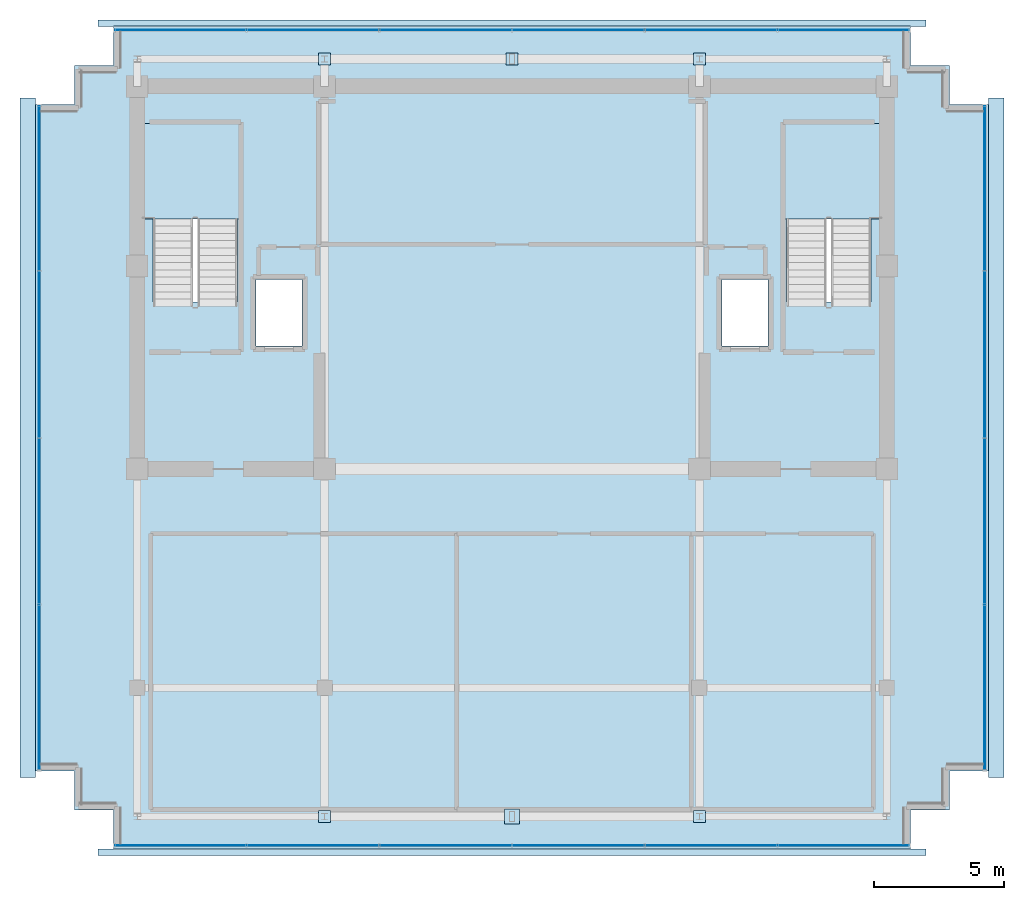
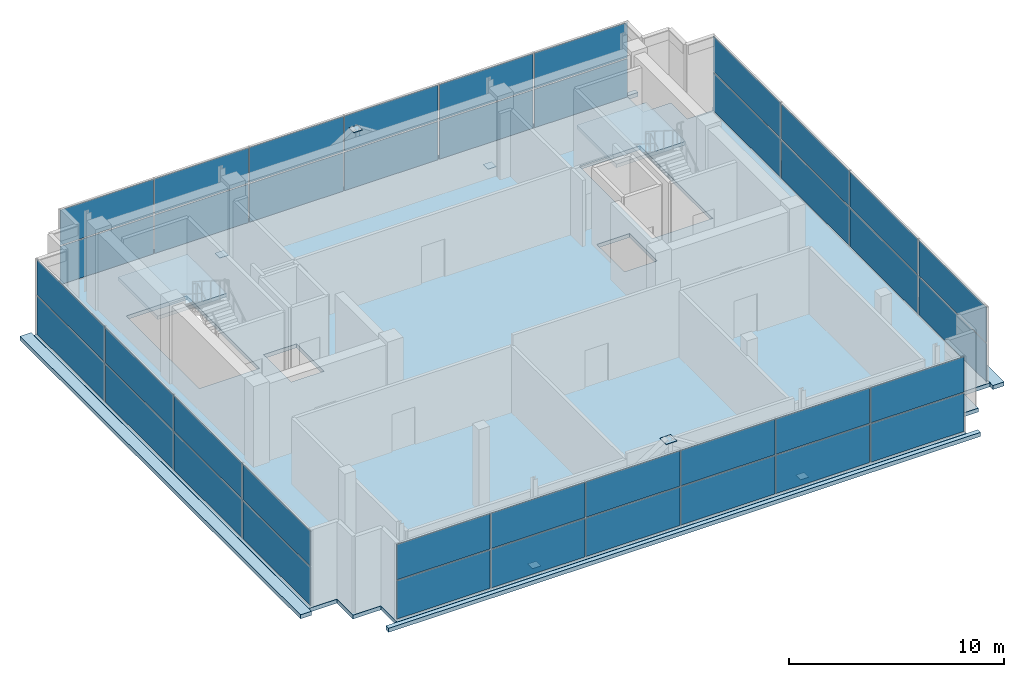
# One storey, part 24 of 28: 46 plates, 7 slabs, 6 elements without a shape of their own.
"""IFC4 building model written with IfcOpenShell, lengths in metres."""

from ifc_helpers import new_model, si_unit, direction, frame, origin, origin_2d, place, context, subcontext, project, spatial, polyline, rectangle, outline, extrude, source, transform, mapped, material, layer, layer_set, type_object, element, aggregate, save


model = new_model("IFC4")

# Units and contexts
model_context = context("Model", 3, precision=1e-05, world=origin(), true_north=direction((0.0, 1.0)))
body_context = subcontext(model_context, "Body", "Model", "MODEL_VIEW")
ifc_project = project(units=[si_unit("LENGTHUNIT", "METRE"), si_unit("AREAUNIT", "SQUARE_METRE"), si_unit("VOLUMEUNIT", "CUBIC_METRE"), si_unit("PLANEANGLEUNIT", "RADIAN"), si_unit("MASSUNIT", "GRAM", prefix="KILO")], contexts=[model_context])

# Site, building, storey
site_placement = place(None, origin())
site = spatial("IfcSite", under=ifc_project, at=site_placement, CompositionType="ELEMENT")
building_placement = place(site_placement, origin())
building = spatial("IfcBuilding", under=site, at=building_placement, Name="Zarnakvel Exchange Tower", CompositionType="ELEMENT")
storey_placement = place(building_placement, frame((0.0, 0.0, 290.0)))
storey = spatial("IfcBuildingStorey", under=building, at=storey_placement, Name="Crown L81", CompositionType="ELEMENT", Elevation=290.0)

# Stair, slab
ifc_material_1 = material(Name="Concrete C40/50", Category="concrete")
stair_type = type_object("IfcStairType", Name="STR-01", PredefinedType="HALF_TURN_STAIR", material=ifc_material_1)
stair_1_placement = place(storey_placement, origin())
stair_1 = element("IfcStair", 1, at=stair_1_placement, inside=storey, type_object=stair_type, Name="Crown L81 Protected Core Exit Stair ST-01", PredefinedType="HALF_TURN_STAIR")
ifc_layer_1 = layer(ifc_material_1, 0.199951171875)
ifc_layer_set_1 = layer_set([ifc_layer_1], Name="Concrete C40/50")
slab_type_1 = type_object("IfcSlabType", Name="LDG-01", PredefinedType="LANDING", material=ifc_layer_set_1)
slab_1_placement = place(storey_placement, frame((0.0, 0.0, 2.10009765625)))
slab_1 = element("IfcSlab", 2, at=slab_1_placement, type_object=slab_type_1, Name="ST-01 landing 1", PredefinedType="LANDING", context=body_context, shape_type="SweptSolid", body=[
    extrude(outline(polyline([(-14.18994140625, 8.409912109375), (-10.4599609375, 8.409912109375), (-10.4599609375, 12.080078125), (-14.18994140625, 12.080078125), (-14.18994140625, 8.409912109375)])), origin(), (0.0, 0.0, 1.0), 0.199951171875),
])
aggregate(stair_1, [slab_1])

stair_2_placement = place(storey_placement, origin())
stair_2 = element("IfcStair", 3, at=stair_2_placement, inside=storey, type_object=stair_type, Name="Crown L81 Protected Core Exit Stair ST-02", PredefinedType="HALF_TURN_STAIR")
slab_2_placement = place(storey_placement, frame((0.0, 0.0, 2.10009765625)))
slab_2 = element("IfcSlab", 4, at=slab_2_placement, type_object=slab_type_1, Name="ST-02 landing 1", PredefinedType="LANDING", context=body_context, shape_type="SweptSolid", body=[
    extrude(outline(polyline([(10.4599609375, 8.409912109375), (14.18994140625, 8.409912109375), (14.18994140625, 12.080078125), (10.4599609375, 12.080078125), (10.4599609375, 8.409912109375)])), origin(), (0.0, 0.0, 1.0), 0.199951171875),
])
aggregate(stair_2, [slab_2])

# Slabs
ifc_layer_2 = layer(ifc_material_1, 0.22998046875)
ifc_layer_set_2 = layer_set([ifc_layer_2], Name="Concrete C40/50")
slab_type_2 = type_object("IfcSlabType", Name="RF-SL1", PredefinedType="ROOF", material=ifc_layer_set_2)
slab_3_placement = place(storey_placement, frame((0.0, 0.0, -0.22998046875)))
element("IfcSlab", 5, at=slab_3_placement, inside=storey, type_object=slab_type_2, Name="Crown L81 Stepped Crown Tier Roof Slab #1", PredefinedType="ROOF", context=body_context, shape_type="SweptSolid", body=[
    extrude(outline(polyline([(15.89990234375, -16.050048828125), (-15.89990234375, -16.050048828125), (-15.89990234375, -15.800048828125), (-15.31005859375, -15.800048828125), (-15.31005859375, -15.81005859375), (15.31005859375, -15.81005859375), (15.31005859375, -15.800048828125), (15.89990234375, -15.800048828125), (15.89990234375, -16.050048828125)])), origin(), (0.0, 0.0, 1.0), 0.22998046875),
])
slab_4_placement = place(storey_placement, frame((0.0, 0.0, -0.22998046875)))
element("IfcSlab", 6, at=slab_4_placement, inside=storey, type_object=slab_type_2, Name="Crown L81 Stepped Crown Tier Roof Slab #2", PredefinedType="ROOF", context=body_context, shape_type="SweptSolid", body=[
    extrude(outline(polyline([(-15.89990234375, 16.050048828125), (15.89990234375, 16.050048828125), (15.89990234375, 15.800048828125), (15.31005859375, 15.800048828125), (15.31005859375, 15.81005859375), (-15.31005859375, 15.81005859375), (-15.31005859375, 15.800048828125), (-15.89990234375, 15.800048828125), (-15.89990234375, 16.050048828125)])), origin(), (0.0, 0.0, 1.0), 0.22998046875),
])
slab_5_placement = place(storey_placement, frame((0.0, 0.0, -0.22998046875)))
element("IfcSlab", 7, at=slab_5_placement, inside=storey, type_object=slab_type_2, Name="Crown L81 Stepped Crown Tier Roof Slab #3", PredefinedType="ROOF", context=body_context, shape_type="SweptSolid", body=[
    extrude(outline(polyline([(-18.300048828125, 13.050048828125), (-18.300048828125, 12.81005859375), (-18.31005859375, 12.81005859375), (-18.31005859375, -12.81005859375), (-18.300048828125, -12.81005859375), (-18.300048828125, -13.050048828125), (-18.89990234375, -13.050048828125), (-18.89990234375, 13.050048828125), (-18.300048828125, 13.050048828125)])), origin(), (0.0, 0.0, 1.0), 0.22998046875),
])
slab_6_placement = place(storey_placement, frame((0.0, 0.0, -0.22998046875)))
element("IfcSlab", 8, at=slab_6_placement, inside=storey, type_object=slab_type_2, Name="Crown L81 Stepped Crown Tier Roof Slab #4", PredefinedType="ROOF", context=body_context, shape_type="SweptSolid", body=[
    extrude(outline(polyline([(18.89990234375, 13.050048828125), (18.89990234375, -13.050048828125), (18.300048828125, -13.050048828125), (18.300048828125, -12.81005859375), (18.31005859375, -12.81005859375), (18.31005859375, 12.81005859375), (18.300048828125, 12.81005859375), (18.300048828125, 13.050048828125), (18.89990234375, 13.050048828125)])), origin(), (0.0, 0.0, 1.0), 0.22998046875),
])
ifc_layer_3 = layer(ifc_material_1, 0.219970703125)
ifc_layer_set_3 = layer_set([ifc_layer_3], Name="Concrete C40/50")
slab_type_3 = type_object("IfcSlabType", Name="SL-05", PredefinedType="FLOOR", material=ifc_layer_set_3)
slab_7_placement = place(storey_placement, frame((0.0, 0.0, -0.219970703125)))
element("IfcSlab", 9, at=slab_7_placement, inside=storey, type_object=slab_type_3, Name="Crown L81 Primary Structural Floor Slab", PredefinedType="FLOOR", context=body_context, shape_type="SweptSolid", body=[
    extrude(outline(polyline([(-18.300048828125, -12.800048828125), (-16.800048828125, -12.800048828125), (-16.800048828125, -14.300048828125), (-15.300048828125, -14.300048828125), (-15.300048828125, -15.800048828125), (15.300048828125, -15.800048828125), (15.300048828125, -14.300048828125), (16.800048828125, -14.300048828125), (16.800048828125, -12.800048828125), (18.300048828125, -12.800048828125), (18.300048828125, 12.800048828125), (16.800048828125, 12.800048828125), (16.800048828125, 14.300048828125), (15.300048828125, 14.300048828125), (15.300048828125, 15.800048828125), (-15.300048828125, 15.800048828125), (-15.300048828125, 14.300048828125), (-16.800048828125, 14.300048828125), (-16.800048828125, 12.800048828125), (-18.300048828125, 12.800048828125), (-18.300048828125, -12.800048828125)]), holes=[polyline([(-13.800048828125, 5.2099609375), (-10.5400390625, 5.2099609375), (-10.5400390625, 12.0), (-13.800048828125, 12.0), (-13.800048828125, 5.2099609375)]), polyline([(10.5400390625, 5.2099609375), (13.800048828125, 5.2099609375), (13.800048828125, 12.0), (10.5400390625, 12.0), (10.5400390625, 5.2099609375)]), polyline([(-9.830078125, 3.52001953125), (-8.070068359375, 3.52001953125), (-8.070068359375, 6.080078125), (-9.830078125, 6.080078125), (-9.830078125, 3.52001953125)]), polyline([(8.070068359375, 3.52001953125), (9.830078125, 3.52001953125), (9.830078125, 6.080078125), (8.070068359375, 6.080078125), (8.070068359375, 3.52001953125)])]), origin(), (0.0, 0.0, 1.0), 0.219970703125),
])

# Plates
ifc_material_2 = material(Name="Steel S355", Category="steel")
ifc_layer_4 = layer(ifc_material_2, 0.028076171875)
ifc_layer_set_4 = layer_set([ifc_layer_4], Name="Steel S355")
plate_type_1 = type_object("IfcPlateType", Name="BP-02", PredefinedType="USERDEFINED", material=ifc_layer_set_4)
shared_shape_1 = source(origin(), body_context, "Body", "SweptSolid", [
    extrude(rectangle(XDim=0.4599609375, YDim=0.4599609375, at=origin_2d()), origin(), (0.0, 0.0, 1.0), 0.028076171875),
])
for number, where, z_axis, x_axis, name in (
    (10, (-7.199951171875, -14.550048828125, -0.3740234375), (0.0, 0.0, 1.0), (1.0, 0.0, 0.0), "Crown L81 Crown Member End Cap Plate"),
    (11, (7.199951171875, -14.550048828125, -0.3740234375), (0.0, 0.0, 1.0), (1.0, 0.0, 0.0), "Crown L81 Crown Member End Cap Plate"),
    (12, (-7.199951171875, 14.550048828125, -0.3740234375), (0.0, 0.0, 1.0), (1.0, 0.0, 0.0), "Crown L81 Crown Member End Cap Plate"),
    (13, (0.0, 14.550048828125, 4.22607421875), (0.0, 0.0, 1.0), (1.0, 0.0, 0.0), "Crown L81 Crown Member End Cap Plate"),
    (14, (7.199951171875, 14.550048828125, -0.3740234375), (0.0, 0.0, 1.0), (1.0, 0.0, 0.0), "Crown L81 Crown Member End Cap Plate"),
):
    element("IfcPlate", number, at=place(storey_placement, frame(where, z_axis=z_axis, x_axis=x_axis)), inside=storey, type_object=plate_type_1, Name=name, ObjectType="BASE_PLATE", PredefinedType="USERDEFINED", context=body_context, shape_type="MappedRepresentation", body=[
        mapped(shared_shape_1, transform((0.0, 0.0, 0.0), x_axis=(1.0, 0.0, 0.0), y_axis=(0.0, 1.0, 0.0), z_axis=(0.0, 0.0, 1.0), scale=1.0)),
    ])
ifc_layer_5 = layer(ifc_material_2, 0.02490234375)
ifc_layer_set_5 = layer_set([ifc_layer_5], Name="Steel S355")
plate_type_2 = type_object("IfcPlateType", Name="VN4", PredefinedType="USERDEFINED", material=ifc_layer_set_5)
shared_shape_2 = source(origin(), body_context, "Body", "SweptSolid", [
    extrude(rectangle(XDim=0.580078125, YDim=0.580078125, at=origin_2d()), origin(), (0.0, 0.0, 1.0), 0.02490234375),
])
plate_1_placement = place(storey_placement, frame((0.0, -14.550048828125, 4.2275390625), z_axis=(0.0, 0.0, 1.0), x_axis=(1.0, 0.0, 0.0)))
element("IfcPlate", 15, at=plate_1_placement, inside=storey, type_object=plate_type_2, Name="Crown L81 Stepped Crown Gusset VN4", ObjectType="GUSSET_PLATE", PredefinedType="USERDEFINED", context=body_context, shape_type="MappedRepresentation", body=[
    mapped(shared_shape_2, transform((0.0, 0.0, 0.0), x_axis=(1.0, 0.0, 0.0), y_axis=(0.0, 1.0, 0.0), z_axis=(0.0, 0.0, 1.0), scale=1.0)),
])

# Curtain wall, plates
ifc_material_3 = material(Name="Architectural Bronze Anodised Aluminium", Category="aluminium")
ifc_layer_6 = layer(ifc_material_3, 0.14990234375)
ifc_layer_set_6 = layer_set([ifc_layer_6], Name="Architectural Bronze Anodised Aluminium")
curtain_wall_type = type_object("IfcCurtainWallType", Name="CW-07", PredefinedType="NOTDEFINED", material=ifc_layer_set_6)
curtain_wall_1_placement = place(storey_placement, origin())
curtain_wall_1 = element("IfcCurtainWall", 16, at=curtain_wall_1_placement, inside=storey, type_object=curtain_wall_type, Name="Crown L81 Curtain Wall CW-Crown L81-S (CW-07)", PredefinedType="NOTDEFINED")
ifc_material_4 = material(Name="Insulated Bronze Aluminium Spandrel Panel", Category="aluminium")
ifc_layer_7 = layer(ifc_material_4, 0.02392578125)
ifc_layer_set_7 = layer_set([ifc_layer_7], Name="Insulated Bronze Aluminium Spandrel Panel")
plate_type_3 = type_object("IfcPlateType", Name="CWP-07", PredefinedType="CURTAIN_PANEL", material=ifc_layer_set_7)
shared_shape_3 = source(origin(), body_context, "Body", "SweptSolid", [
    extrude(rectangle(XDim=5.010009765625, YDim=0.02392578125, at=origin_2d()), origin(), (0.0, 0.0, 1.0), 2.17724609375),
])
plate_2_placement = place(storey_placement, frame((-12.735107421875, -15.659912109375, 0.06005859375), z_axis=(0.0, 0.0, 1.0), x_axis=(1.0, 0.0, 0.0)))
plate_2 = element("IfcPlate", 17, at=plate_2_placement, type_object=plate_type_3, Name="CW-07 panel 1.1", PredefinedType="CURTAIN_PANEL", context=body_context, shape_type="MappedRepresentation", body=[
    mapped(shared_shape_3, transform((0.0, 0.0, 0.0), x_axis=(1.0, 0.0, 0.0), y_axis=(0.0, 1.0, 0.0), z_axis=(0.0, 0.0, 1.0), scale=1.0)),
])
plate_3_placement = place(storey_placement, frame((12.735107421875, -15.659912109375, 0.06005859375), z_axis=(0.0, 0.0, 1.0), x_axis=(1.0, 0.0, 0.0)))
plate_3 = element("IfcPlate", 18, at=plate_3_placement, type_object=plate_type_3, Name="CW-07 panel 6.1", PredefinedType="CURTAIN_PANEL", context=body_context, shape_type="MappedRepresentation", body=[
    mapped(shared_shape_3, transform((0.0, 0.0, 0.0), x_axis=(1.0, 0.0, 0.0), y_axis=(0.0, 1.0, 0.0), z_axis=(0.0, 0.0, 1.0), scale=1.0)),
])

curtain_wall_2_placement = place(storey_placement, origin())
curtain_wall_2 = element("IfcCurtainWall", 19, at=curtain_wall_2_placement, inside=storey, type_object=curtain_wall_type, Name="Crown L81 Curtain Wall CW-Crown L81-N (CW-07)", PredefinedType="NOTDEFINED")
plate_4_placement = place(storey_placement, frame((-12.735107421875, 15.659912109375, 0.06005859375), z_axis=(0.0, 0.0, 1.0), x_axis=(1.0, 0.0, 0.0)))
plate_4 = element("IfcPlate", 20, at=plate_4_placement, type_object=plate_type_3, Name="CW-07 panel 1.1", PredefinedType="CURTAIN_PANEL", context=body_context, shape_type="MappedRepresentation", body=[
    mapped(shared_shape_3, transform((0.0, 0.0, 0.0), x_axis=(1.0, 0.0, 0.0), y_axis=(0.0, 1.0, 0.0), z_axis=(0.0, 0.0, 1.0), scale=1.0)),
])
plate_5_placement = place(storey_placement, frame((12.735107421875, 15.659912109375, 0.06005859375), z_axis=(0.0, 0.0, 1.0), x_axis=(1.0, 0.0, 0.0)))
plate_5 = element("IfcPlate", 21, at=plate_5_placement, type_object=plate_type_3, Name="CW-07 panel 6.1", PredefinedType="CURTAIN_PANEL", context=body_context, shape_type="MappedRepresentation", body=[
    mapped(shared_shape_3, transform((0.0, 0.0, 0.0), x_axis=(1.0, 0.0, 0.0), y_axis=(0.0, 1.0, 0.0), z_axis=(0.0, 0.0, 1.0), scale=1.0)),
])

# Plate
shared_shape_4 = source(origin(), body_context, "Body", "SweptSolid", [
    extrude(rectangle(XDim=5.010009765625, YDim=0.02392578125, at=origin_2d()), origin(), (0.0, 0.0, 1.0), 2.002685546875),
])
plate_6_placement = place(storey_placement, frame((-12.735107421875, -15.659912109375, 2.29736328125), z_axis=(0.0, 0.0, 1.0), x_axis=(1.0, 0.0, 0.0)))
plate_6 = element("IfcPlate", 22, at=plate_6_placement, type_object=plate_type_3, Name="CW-07 panel 1.2", PredefinedType="CURTAIN_PANEL", context=body_context, shape_type="MappedRepresentation", body=[
    mapped(shared_shape_4, transform((0.0, 0.0, 0.0), x_axis=(1.0, 0.0, 0.0), y_axis=(0.0, 1.0, 0.0), z_axis=(0.0, 0.0, 1.0), scale=1.0)),
])

plate_7_placement = place(storey_placement, frame((12.735107421875, -15.659912109375, 2.29736328125), z_axis=(0.0, 0.0, 1.0), x_axis=(1.0, 0.0, 0.0)))
plate_7 = element("IfcPlate", 23, at=plate_7_placement, type_object=plate_type_3, Name="CW-07 panel 6.2", PredefinedType="CURTAIN_PANEL", context=body_context, shape_type="MappedRepresentation", body=[
    mapped(shared_shape_4, transform((0.0, 0.0, 0.0), x_axis=(1.0, 0.0, 0.0), y_axis=(0.0, 1.0, 0.0), z_axis=(0.0, 0.0, 1.0), scale=1.0)),
])

plate_8_placement = place(storey_placement, frame((-12.735107421875, 15.659912109375, 2.29736328125), z_axis=(0.0, 0.0, 1.0), x_axis=(1.0, 0.0, 0.0)))
plate_8 = element("IfcPlate", 24, at=plate_8_placement, type_object=plate_type_3, Name="CW-07 panel 1.2", PredefinedType="CURTAIN_PANEL", context=body_context, shape_type="MappedRepresentation", body=[
    mapped(shared_shape_4, transform((0.0, 0.0, 0.0), x_axis=(1.0, 0.0, 0.0), y_axis=(0.0, 1.0, 0.0), z_axis=(0.0, 0.0, 1.0), scale=1.0)),
])

plate_9_placement = place(storey_placement, frame((12.735107421875, 15.659912109375, 2.29736328125), z_axis=(0.0, 0.0, 1.0), x_axis=(1.0, 0.0, 0.0)))
plate_9 = element("IfcPlate", 25, at=plate_9_placement, type_object=plate_type_3, Name="CW-07 panel 6.2", PredefinedType="CURTAIN_PANEL", context=body_context, shape_type="MappedRepresentation", body=[
    mapped(shared_shape_4, transform((0.0, 0.0, 0.0), x_axis=(1.0, 0.0, 0.0), y_axis=(0.0, 1.0, 0.0), z_axis=(0.0, 0.0, 1.0), scale=1.0)),
])

shared_shape_5 = source(origin(), body_context, "Body", "SweptSolid", [
    extrude(rectangle(XDim=5.0400390625, YDim=0.02392578125, at=origin_2d()), origin(), (0.0, 0.0, 1.0), 2.17724609375),
])
plate_10_placement = place(storey_placement, frame((-7.64990234375, -15.659912109375, 0.06005859375), z_axis=(0.0, 0.0, 1.0), x_axis=(1.0, 0.0, 0.0)))
plate_10 = element("IfcPlate", 26, at=plate_10_placement, type_object=plate_type_3, Name="CW-07 panel 2.1", PredefinedType="CURTAIN_PANEL", context=body_context, shape_type="MappedRepresentation", body=[
    mapped(shared_shape_5, transform((0.0, 0.0, 0.0), x_axis=(1.0, 0.0, 0.0), y_axis=(0.0, 1.0, 0.0), z_axis=(0.0, 0.0, 1.0), scale=1.0)),
])

plate_11_placement = place(storey_placement, frame((-2.550048828125, -15.659912109375, 0.06005859375), z_axis=(0.0, 0.0, 1.0), x_axis=(1.0, 0.0, 0.0)))
plate_11 = element("IfcPlate", 27, at=plate_11_placement, type_object=plate_type_3, Name="CW-07 panel 3.1", PredefinedType="CURTAIN_PANEL", context=body_context, shape_type="MappedRepresentation", body=[
    mapped(shared_shape_5, transform((0.0, 0.0, 0.0), x_axis=(1.0, 0.0, 0.0), y_axis=(0.0, 1.0, 0.0), z_axis=(0.0, 0.0, 1.0), scale=1.0)),
])

plate_12_placement = place(storey_placement, frame((2.550048828125, -15.659912109375, 0.06005859375), z_axis=(0.0, 0.0, 1.0), x_axis=(1.0, 0.0, 0.0)))
plate_12 = element("IfcPlate", 28, at=plate_12_placement, type_object=plate_type_3, Name="CW-07 panel 4.1", PredefinedType="CURTAIN_PANEL", context=body_context, shape_type="MappedRepresentation", body=[
    mapped(shared_shape_5, transform((0.0, 0.0, 0.0), x_axis=(1.0, 0.0, 0.0), y_axis=(0.0, 1.0, 0.0), z_axis=(0.0, 0.0, 1.0), scale=1.0)),
])

plate_13_placement = place(storey_placement, frame((7.64990234375, -15.659912109375, 0.06005859375), z_axis=(0.0, 0.0, 1.0), x_axis=(1.0, 0.0, 0.0)))
plate_13 = element("IfcPlate", 29, at=plate_13_placement, type_object=plate_type_3, Name="CW-07 panel 5.1", PredefinedType="CURTAIN_PANEL", context=body_context, shape_type="MappedRepresentation", body=[
    mapped(shared_shape_5, transform((0.0, 0.0, 0.0), x_axis=(1.0, 0.0, 0.0), y_axis=(0.0, 1.0, 0.0), z_axis=(0.0, 0.0, 1.0), scale=1.0)),
])

plate_14_placement = place(storey_placement, frame((-7.64990234375, 15.659912109375, 0.06005859375), z_axis=(0.0, 0.0, 1.0), x_axis=(1.0, 0.0, 0.0)))
plate_14 = element("IfcPlate", 30, at=plate_14_placement, type_object=plate_type_3, Name="CW-07 panel 2.1", PredefinedType="CURTAIN_PANEL", context=body_context, shape_type="MappedRepresentation", body=[
    mapped(shared_shape_5, transform((0.0, 0.0, 0.0), x_axis=(1.0, 0.0, 0.0), y_axis=(0.0, 1.0, 0.0), z_axis=(0.0, 0.0, 1.0), scale=1.0)),
])

plate_15_placement = place(storey_placement, frame((-2.550048828125, 15.659912109375, 0.06005859375), z_axis=(0.0, 0.0, 1.0), x_axis=(1.0, 0.0, 0.0)))
plate_15 = element("IfcPlate", 31, at=plate_15_placement, type_object=plate_type_3, Name="CW-07 panel 3.1", PredefinedType="CURTAIN_PANEL", context=body_context, shape_type="MappedRepresentation", body=[
    mapped(shared_shape_5, transform((0.0, 0.0, 0.0), x_axis=(1.0, 0.0, 0.0), y_axis=(0.0, 1.0, 0.0), z_axis=(0.0, 0.0, 1.0), scale=1.0)),
])

plate_16_placement = place(storey_placement, frame((2.550048828125, 15.659912109375, 0.06005859375), z_axis=(0.0, 0.0, 1.0), x_axis=(1.0, 0.0, 0.0)))
plate_16 = element("IfcPlate", 32, at=plate_16_placement, type_object=plate_type_3, Name="CW-07 panel 4.1", PredefinedType="CURTAIN_PANEL", context=body_context, shape_type="MappedRepresentation", body=[
    mapped(shared_shape_5, transform((0.0, 0.0, 0.0), x_axis=(1.0, 0.0, 0.0), y_axis=(0.0, 1.0, 0.0), z_axis=(0.0, 0.0, 1.0), scale=1.0)),
])

plate_17_placement = place(storey_placement, frame((7.64990234375, 15.659912109375, 0.06005859375), z_axis=(0.0, 0.0, 1.0), x_axis=(1.0, 0.0, 0.0)))
plate_17 = element("IfcPlate", 33, at=plate_17_placement, type_object=plate_type_3, Name="CW-07 panel 5.1", PredefinedType="CURTAIN_PANEL", context=body_context, shape_type="MappedRepresentation", body=[
    mapped(shared_shape_5, transform((0.0, 0.0, 0.0), x_axis=(1.0, 0.0, 0.0), y_axis=(0.0, 1.0, 0.0), z_axis=(0.0, 0.0, 1.0), scale=1.0)),
])

shared_shape_6 = source(origin(), body_context, "Body", "SweptSolid", [
    extrude(rectangle(XDim=5.0400390625, YDim=0.02392578125, at=origin_2d()), origin(), (0.0, 0.0, 1.0), 2.002685546875),
])
plate_18_placement = place(storey_placement, frame((-7.64990234375, -15.659912109375, 2.29736328125), z_axis=(0.0, 0.0, 1.0), x_axis=(1.0, 0.0, 0.0)))
plate_18 = element("IfcPlate", 34, at=plate_18_placement, type_object=plate_type_3, Name="CW-07 panel 2.2", PredefinedType="CURTAIN_PANEL", context=body_context, shape_type="MappedRepresentation", body=[
    mapped(shared_shape_6, transform((0.0, 0.0, 0.0), x_axis=(1.0, 0.0, 0.0), y_axis=(0.0, 1.0, 0.0), z_axis=(0.0, 0.0, 1.0), scale=1.0)),
])

plate_19_placement = place(storey_placement, frame((-2.550048828125, -15.659912109375, 2.29736328125), z_axis=(0.0, 0.0, 1.0), x_axis=(1.0, 0.0, 0.0)))
plate_19 = element("IfcPlate", 35, at=plate_19_placement, type_object=plate_type_3, Name="CW-07 panel 3.2", PredefinedType="CURTAIN_PANEL", context=body_context, shape_type="MappedRepresentation", body=[
    mapped(shared_shape_6, transform((0.0, 0.0, 0.0), x_axis=(1.0, 0.0, 0.0), y_axis=(0.0, 1.0, 0.0), z_axis=(0.0, 0.0, 1.0), scale=1.0)),
])

plate_20_placement = place(storey_placement, frame((2.550048828125, -15.659912109375, 2.29736328125), z_axis=(0.0, 0.0, 1.0), x_axis=(1.0, 0.0, 0.0)))
plate_20 = element("IfcPlate", 36, at=plate_20_placement, type_object=plate_type_3, Name="CW-07 panel 4.2", PredefinedType="CURTAIN_PANEL", context=body_context, shape_type="MappedRepresentation", body=[
    mapped(shared_shape_6, transform((0.0, 0.0, 0.0), x_axis=(1.0, 0.0, 0.0), y_axis=(0.0, 1.0, 0.0), z_axis=(0.0, 0.0, 1.0), scale=1.0)),
])

plate_21_placement = place(storey_placement, frame((7.64990234375, -15.659912109375, 2.29736328125), z_axis=(0.0, 0.0, 1.0), x_axis=(1.0, 0.0, 0.0)))
plate_21 = element("IfcPlate", 37, at=plate_21_placement, type_object=plate_type_3, Name="CW-07 panel 5.2", PredefinedType="CURTAIN_PANEL", context=body_context, shape_type="MappedRepresentation", body=[
    mapped(shared_shape_6, transform((0.0, 0.0, 0.0), x_axis=(1.0, 0.0, 0.0), y_axis=(0.0, 1.0, 0.0), z_axis=(0.0, 0.0, 1.0), scale=1.0)),
])

aggregate(curtain_wall_1, [plate_2, plate_6, plate_10, plate_18, plate_11, plate_19, plate_12, plate_20, plate_13, plate_21, plate_3, plate_7])

plate_22_placement = place(storey_placement, frame((-7.64990234375, 15.659912109375, 2.29736328125), z_axis=(0.0, 0.0, 1.0), x_axis=(1.0, 0.0, 0.0)))
plate_22 = element("IfcPlate", 38, at=plate_22_placement, type_object=plate_type_3, Name="CW-07 panel 2.2", PredefinedType="CURTAIN_PANEL", context=body_context, shape_type="MappedRepresentation", body=[
    mapped(shared_shape_6, transform((0.0, 0.0, 0.0), x_axis=(1.0, 0.0, 0.0), y_axis=(0.0, 1.0, 0.0), z_axis=(0.0, 0.0, 1.0), scale=1.0)),
])

plate_23_placement = place(storey_placement, frame((-2.550048828125, 15.659912109375, 2.29736328125), z_axis=(0.0, 0.0, 1.0), x_axis=(1.0, 0.0, 0.0)))
plate_23 = element("IfcPlate", 39, at=plate_23_placement, type_object=plate_type_3, Name="CW-07 panel 3.2", PredefinedType="CURTAIN_PANEL", context=body_context, shape_type="MappedRepresentation", body=[
    mapped(shared_shape_6, transform((0.0, 0.0, 0.0), x_axis=(1.0, 0.0, 0.0), y_axis=(0.0, 1.0, 0.0), z_axis=(0.0, 0.0, 1.0), scale=1.0)),
])

plate_24_placement = place(storey_placement, frame((2.550048828125, 15.659912109375, 2.29736328125), z_axis=(0.0, 0.0, 1.0), x_axis=(1.0, 0.0, 0.0)))
plate_24 = element("IfcPlate", 40, at=plate_24_placement, type_object=plate_type_3, Name="CW-07 panel 4.2", PredefinedType="CURTAIN_PANEL", context=body_context, shape_type="MappedRepresentation", body=[
    mapped(shared_shape_6, transform((0.0, 0.0, 0.0), x_axis=(1.0, 0.0, 0.0), y_axis=(0.0, 1.0, 0.0), z_axis=(0.0, 0.0, 1.0), scale=1.0)),
])

plate_25_placement = place(storey_placement, frame((7.64990234375, 15.659912109375, 2.29736328125), z_axis=(0.0, 0.0, 1.0), x_axis=(1.0, 0.0, 0.0)))
plate_25 = element("IfcPlate", 41, at=plate_25_placement, type_object=plate_type_3, Name="CW-07 panel 5.2", PredefinedType="CURTAIN_PANEL", context=body_context, shape_type="MappedRepresentation", body=[
    mapped(shared_shape_6, transform((0.0, 0.0, 0.0), x_axis=(1.0, 0.0, 0.0), y_axis=(0.0, 1.0, 0.0), z_axis=(0.0, 0.0, 1.0), scale=1.0)),
])

aggregate(curtain_wall_2, [plate_4, plate_8, plate_14, plate_22, plate_15, plate_23, plate_16, plate_24, plate_17, plate_25, plate_5, plate_9])

# Curtain wall, plates
curtain_wall_3_placement = place(storey_placement, origin())
curtain_wall_3 = element("IfcCurtainWall", 42, at=curtain_wall_3_placement, inside=storey, type_object=curtain_wall_type, Name="Crown L81 Curtain Wall CW-Crown L81-W (CW-07)", PredefinedType="NOTDEFINED")
shared_shape_7 = source(origin(), body_context, "Body", "SweptSolid", [
    extrude(rectangle(XDim=6.31005859375, YDim=0.02392578125, at=origin_2d()), origin(), (0.0, 0.0, 1.0), 2.17724609375),
])
plate_26_placement = place(storey_placement, frame((-18.159912109375, -9.5849609375, 0.06005859375), z_axis=(0.0, 0.0, 1.0), x_axis=(0.0, 1.0, 0.0)))
plate_26 = element("IfcPlate", 43, at=plate_26_placement, type_object=plate_type_3, Name="CW-07 panel 1.1", PredefinedType="CURTAIN_PANEL", context=body_context, shape_type="MappedRepresentation", body=[
    mapped(shared_shape_7, transform((0.0, 0.0, 0.0), x_axis=(1.0, 0.0, 0.0), y_axis=(0.0, 1.0, 0.0), z_axis=(0.0, 0.0, 1.0), scale=1.0)),
])
plate_27_placement = place(storey_placement, frame((-18.159912109375, 9.5849609375, 0.06005859375), z_axis=(0.0, 0.0, 1.0), x_axis=(0.0, 1.0, 0.0)))
plate_27 = element("IfcPlate", 44, at=plate_27_placement, type_object=plate_type_3, Name="CW-07 panel 4.1", PredefinedType="CURTAIN_PANEL", context=body_context, shape_type="MappedRepresentation", body=[
    mapped(shared_shape_7, transform((0.0, 0.0, 0.0), x_axis=(1.0, 0.0, 0.0), y_axis=(0.0, 1.0, 0.0), z_axis=(0.0, 0.0, 1.0), scale=1.0)),
])

curtain_wall_4_placement = place(storey_placement, origin())
curtain_wall_4 = element("IfcCurtainWall", 45, at=curtain_wall_4_placement, inside=storey, type_object=curtain_wall_type, Name="Crown L81 Curtain Wall CW-Crown L81-E (CW-07)", PredefinedType="NOTDEFINED")
plate_28_placement = place(storey_placement, frame((18.159912109375, -9.5849609375, 0.06005859375), z_axis=(0.0, 0.0, 1.0), x_axis=(0.0, 1.0, 0.0)))
plate_28 = element("IfcPlate", 46, at=plate_28_placement, type_object=plate_type_3, Name="CW-07 panel 1.1", PredefinedType="CURTAIN_PANEL", context=body_context, shape_type="MappedRepresentation", body=[
    mapped(shared_shape_7, transform((0.0, 0.0, 0.0), x_axis=(1.0, 0.0, 0.0), y_axis=(0.0, 1.0, 0.0), z_axis=(0.0, 0.0, 1.0), scale=1.0)),
])
plate_29_placement = place(storey_placement, frame((18.159912109375, 9.5849609375, 0.06005859375), z_axis=(0.0, 0.0, 1.0), x_axis=(0.0, 1.0, 0.0)))
plate_29 = element("IfcPlate", 47, at=plate_29_placement, type_object=plate_type_3, Name="CW-07 panel 4.1", PredefinedType="CURTAIN_PANEL", context=body_context, shape_type="MappedRepresentation", body=[
    mapped(shared_shape_7, transform((0.0, 0.0, 0.0), x_axis=(1.0, 0.0, 0.0), y_axis=(0.0, 1.0, 0.0), z_axis=(0.0, 0.0, 1.0), scale=1.0)),
])

# Plate
shared_shape_8 = source(origin(), body_context, "Body", "SweptSolid", [
    extrude(rectangle(XDim=6.31005859375, YDim=0.02392578125, at=origin_2d()), origin(), (0.0, 0.0, 1.0), 2.002685546875),
])
plate_30_placement = place(storey_placement, frame((-18.159912109375, -9.5849609375, 2.29736328125), z_axis=(0.0, 0.0, 1.0), x_axis=(0.0, 1.0, 0.0)))
plate_30 = element("IfcPlate", 48, at=plate_30_placement, type_object=plate_type_3, Name="CW-07 panel 1.2", PredefinedType="CURTAIN_PANEL", context=body_context, shape_type="MappedRepresentation", body=[
    mapped(shared_shape_8, transform((0.0, 0.0, 0.0), x_axis=(1.0, 0.0, 0.0), y_axis=(0.0, 1.0, 0.0), z_axis=(0.0, 0.0, 1.0), scale=1.0)),
])

plate_31_placement = place(storey_placement, frame((-18.159912109375, 9.5849609375, 2.29736328125), z_axis=(0.0, 0.0, 1.0), x_axis=(0.0, 1.0, 0.0)))
plate_31 = element("IfcPlate", 49, at=plate_31_placement, type_object=plate_type_3, Name="CW-07 panel 4.2", PredefinedType="CURTAIN_PANEL", context=body_context, shape_type="MappedRepresentation", body=[
    mapped(shared_shape_8, transform((0.0, 0.0, 0.0), x_axis=(1.0, 0.0, 0.0), y_axis=(0.0, 1.0, 0.0), z_axis=(0.0, 0.0, 1.0), scale=1.0)),
])

plate_32_placement = place(storey_placement, frame((18.159912109375, -9.5849609375, 2.29736328125), z_axis=(0.0, 0.0, 1.0), x_axis=(0.0, 1.0, 0.0)))
plate_32 = element("IfcPlate", 50, at=plate_32_placement, type_object=plate_type_3, Name="CW-07 panel 1.2", PredefinedType="CURTAIN_PANEL", context=body_context, shape_type="MappedRepresentation", body=[
    mapped(shared_shape_8, transform((0.0, 0.0, 0.0), x_axis=(1.0, 0.0, 0.0), y_axis=(0.0, 1.0, 0.0), z_axis=(0.0, 0.0, 1.0), scale=1.0)),
])

plate_33_placement = place(storey_placement, frame((18.159912109375, 9.5849609375, 2.29736328125), z_axis=(0.0, 0.0, 1.0), x_axis=(0.0, 1.0, 0.0)))
plate_33 = element("IfcPlate", 51, at=plate_33_placement, type_object=plate_type_3, Name="CW-07 panel 4.2", PredefinedType="CURTAIN_PANEL", context=body_context, shape_type="MappedRepresentation", body=[
    mapped(shared_shape_8, transform((0.0, 0.0, 0.0), x_axis=(1.0, 0.0, 0.0), y_axis=(0.0, 1.0, 0.0), z_axis=(0.0, 0.0, 1.0), scale=1.0)),
])

shared_shape_9 = source(origin(), body_context, "Body", "SweptSolid", [
    extrude(rectangle(XDim=6.340087890625, YDim=0.02392578125, at=origin_2d()), origin(), (0.0, 0.0, 1.0), 2.17724609375),
])
plate_34_placement = place(storey_placement, frame((-18.159912109375, -3.199951171875, 0.06005859375), z_axis=(0.0, 0.0, 1.0), x_axis=(0.0, 1.0, 0.0)))
plate_34 = element("IfcPlate", 52, at=plate_34_placement, type_object=plate_type_3, Name="CW-07 panel 2.1", PredefinedType="CURTAIN_PANEL", context=body_context, shape_type="MappedRepresentation", body=[
    mapped(shared_shape_9, transform((0.0, 0.0, 0.0), x_axis=(1.0, 0.0, 0.0), y_axis=(0.0, 1.0, 0.0), z_axis=(0.0, 0.0, 1.0), scale=1.0)),
])

plate_35_placement = place(storey_placement, frame((-18.159912109375, 3.199951171875, 0.06005859375), z_axis=(0.0, 0.0, 1.0), x_axis=(0.0, 1.0, 0.0)))
plate_35 = element("IfcPlate", 53, at=plate_35_placement, type_object=plate_type_3, Name="CW-07 panel 3.1", PredefinedType="CURTAIN_PANEL", context=body_context, shape_type="MappedRepresentation", body=[
    mapped(shared_shape_9, transform((0.0, 0.0, 0.0), x_axis=(1.0, 0.0, 0.0), y_axis=(0.0, 1.0, 0.0), z_axis=(0.0, 0.0, 1.0), scale=1.0)),
])

plate_36_placement = place(storey_placement, frame((18.159912109375, -3.199951171875, 0.06005859375), z_axis=(0.0, 0.0, 1.0), x_axis=(0.0, 1.0, 0.0)))
plate_36 = element("IfcPlate", 54, at=plate_36_placement, type_object=plate_type_3, Name="CW-07 panel 2.1", PredefinedType="CURTAIN_PANEL", context=body_context, shape_type="MappedRepresentation", body=[
    mapped(shared_shape_9, transform((0.0, 0.0, 0.0), x_axis=(1.0, 0.0, 0.0), y_axis=(0.0, 1.0, 0.0), z_axis=(0.0, 0.0, 1.0), scale=1.0)),
])

plate_37_placement = place(storey_placement, frame((18.159912109375, 3.199951171875, 0.06005859375), z_axis=(0.0, 0.0, 1.0), x_axis=(0.0, 1.0, 0.0)))
plate_37 = element("IfcPlate", 55, at=plate_37_placement, type_object=plate_type_3, Name="CW-07 panel 3.1", PredefinedType="CURTAIN_PANEL", context=body_context, shape_type="MappedRepresentation", body=[
    mapped(shared_shape_9, transform((0.0, 0.0, 0.0), x_axis=(1.0, 0.0, 0.0), y_axis=(0.0, 1.0, 0.0), z_axis=(0.0, 0.0, 1.0), scale=1.0)),
])

shared_shape_10 = source(origin(), body_context, "Body", "SweptSolid", [
    extrude(rectangle(XDim=6.340087890625, YDim=0.02392578125, at=origin_2d()), origin(), (0.0, 0.0, 1.0), 2.002685546875),
])
plate_38_placement = place(storey_placement, frame((-18.159912109375, -3.199951171875, 2.29736328125), z_axis=(0.0, 0.0, 1.0), x_axis=(0.0, 1.0, 0.0)))
plate_38 = element("IfcPlate", 56, at=plate_38_placement, type_object=plate_type_3, Name="CW-07 panel 2.2", PredefinedType="CURTAIN_PANEL", context=body_context, shape_type="MappedRepresentation", body=[
    mapped(shared_shape_10, transform((0.0, 0.0, 0.0), x_axis=(1.0, 0.0, 0.0), y_axis=(0.0, 1.0, 0.0), z_axis=(0.0, 0.0, 1.0), scale=1.0)),
])

plate_39_placement = place(storey_placement, frame((-18.159912109375, 3.199951171875, 2.29736328125), z_axis=(0.0, 0.0, 1.0), x_axis=(0.0, 1.0, 0.0)))
plate_39 = element("IfcPlate", 57, at=plate_39_placement, type_object=plate_type_3, Name="CW-07 panel 3.2", PredefinedType="CURTAIN_PANEL", context=body_context, shape_type="MappedRepresentation", body=[
    mapped(shared_shape_10, transform((0.0, 0.0, 0.0), x_axis=(1.0, 0.0, 0.0), y_axis=(0.0, 1.0, 0.0), z_axis=(0.0, 0.0, 1.0), scale=1.0)),
])

aggregate(curtain_wall_3, [plate_26, plate_30, plate_34, plate_38, plate_35, plate_39, plate_27, plate_31])

plate_40_placement = place(storey_placement, frame((18.159912109375, -3.199951171875, 2.29736328125), z_axis=(0.0, 0.0, 1.0), x_axis=(0.0, 1.0, 0.0)))
plate_40 = element("IfcPlate", 58, at=plate_40_placement, type_object=plate_type_3, Name="CW-07 panel 2.2", PredefinedType="CURTAIN_PANEL", context=body_context, shape_type="MappedRepresentation", body=[
    mapped(shared_shape_10, transform((0.0, 0.0, 0.0), x_axis=(1.0, 0.0, 0.0), y_axis=(0.0, 1.0, 0.0), z_axis=(0.0, 0.0, 1.0), scale=1.0)),
])

plate_41_placement = place(storey_placement, frame((18.159912109375, 3.199951171875, 2.29736328125), z_axis=(0.0, 0.0, 1.0), x_axis=(0.0, 1.0, 0.0)))
plate_41 = element("IfcPlate", 59, at=plate_41_placement, type_object=plate_type_3, Name="CW-07 panel 3.2", PredefinedType="CURTAIN_PANEL", context=body_context, shape_type="MappedRepresentation", body=[
    mapped(shared_shape_10, transform((0.0, 0.0, 0.0), x_axis=(1.0, 0.0, 0.0), y_axis=(0.0, 1.0, 0.0), z_axis=(0.0, 0.0, 1.0), scale=1.0)),
])

aggregate(curtain_wall_4, [plate_28, plate_32, plate_36, plate_40, plate_37, plate_41, plate_29, plate_33])

save(model, "model.ifc")
